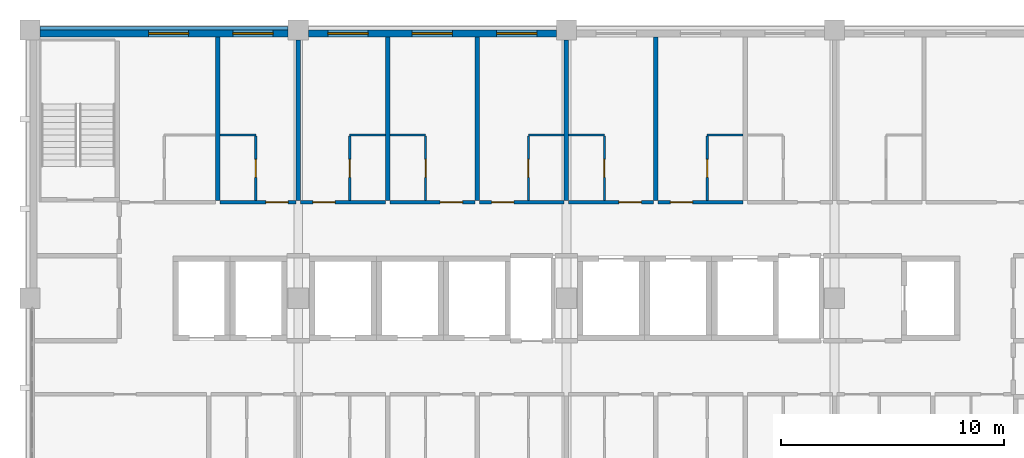
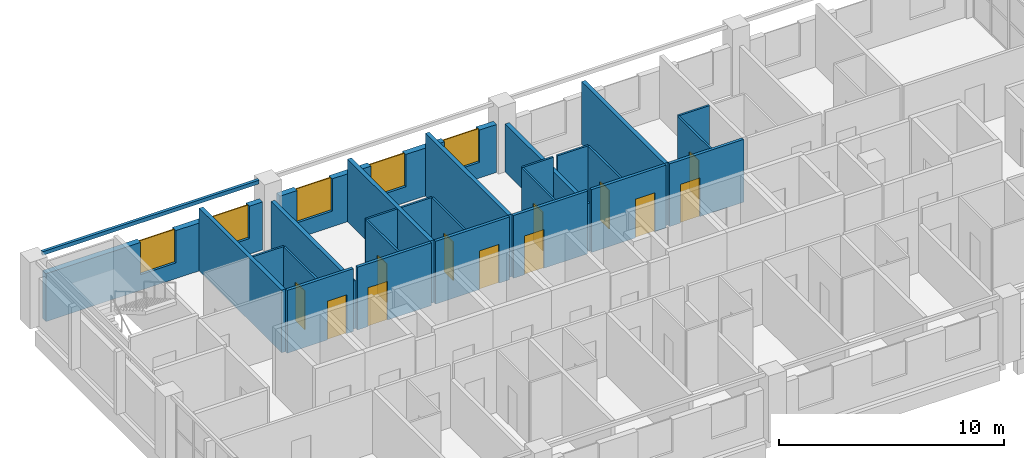
# One storey, part 8 of 11: 27 walls, 12 doors, 5 windows, 17 openings.
"""IFC4 building model written with IfcOpenShell, lengths in metres."""

from ifc_helpers import new_model, si_unit, direction, frame, frame_2d, origin, place, context, subcontext, project, spatial, rectangle, extrude, material, layer, layer_set, type_object, element, fill, save


model = new_model("IFC4")

# Units and contexts
model_context = context("Model", 3, precision=1e-05, world=origin(), true_north=direction((0.0, 1.0)))
body_context = subcontext(model_context, "Body", "Model", "MODEL_VIEW")
ifc_project = project(units=[si_unit("LENGTHUNIT", "METRE"), si_unit("AREAUNIT", "SQUARE_METRE"), si_unit("VOLUMEUNIT", "CUBIC_METRE"), si_unit("PLANEANGLEUNIT", "RADIAN"), si_unit("MASSUNIT", "GRAM", prefix="KILO")], contexts=[model_context])

# Site, building, storey
site_placement = place(None, origin())
site = spatial("IfcSite", under=ifc_project, at=site_placement, CompositionType="ELEMENT")
building_placement = place(site_placement, origin())
building = spatial("IfcBuilding", under=site, at=building_placement, Name="Lilac Gate Convention Centre", CompositionType="ELEMENT")
storey_placement = place(building_placement, frame((0.0, 0.0, 28.199951171875)))
storey = spatial("IfcBuildingStorey", under=building, at=storey_placement, Name="L06", CompositionType="ELEMENT", Elevation=28.199951171875)

# Wall, opening, door
ifc_material_1 = material(Name="Gypsum board on steel stud", Category="steel")
ifc_layer_1 = layer(ifc_material_1, 0.14990234375)
ifc_layer_set_1 = layer_set([ifc_layer_1], Name="Gypsum board on steel stud")
wall_type_1 = type_object("IfcWallType", Name="Corridor wall 150", PredefinedType="PARTITIONING", material=ifc_layer_set_1)
wall_1_placement = place(storey_placement, frame((50.5, 238.300048828125, 0.0), z_axis=(0.0, 0.0, 1.0), x_axis=(1.0, 0.0, 0.0)))
wall_1 = element("IfcWall", 1, at=wall_1_placement, inside=storey, type_object=wall_type_1, Name="Corridor wall 150 front 0612", PredefinedType="PARTITIONING", context=body_context, shape_type="SweptSolid", body=[
    extrude(rectangle(XDim=3.39990234375, YDim=0.14990234375, at=frame_2d((1.699951171875, 0.0))), origin(), (0.0, 0.0, 1.0), 3.400146484375),
])
opening_1_placement = place(wall_1_placement, frame((2.050048828125, 0.0, 0.0)))
opening_1 = element("IfcOpeningElement", 2, at=opening_1_placement, cuts=wall_1, Name="Opening T04-029", PredefinedType="OPENING", context=body_context, shape_type="SweptSolid", body=[
    extrude(rectangle(XDim=1.0, YDim=2.10009765625, at=frame_2d((0.5, 1.050048828125))), frame((0.0, 0.0849609375, 0.0), z_axis=(0.0, -1.0, 0.0), x_axis=(1.0, 0.0, 0.0)), (0.0, 0.0, 1.0), 0.169921875),
])
ifc_material_2 = material(Name="Timber", Category="wood")
door_type_1 = type_object("IfcDoorType", Name="Guest room entrance door 1000", OperationType="SINGLE_SWING_LEFT", PredefinedType="DOOR", material=ifc_material_2)
door_1_placement = place(opening_1_placement, origin())
door_1 = element("IfcDoor", 3, at=door_1_placement, inside=storey, type_object=door_type_1, Name="Guest room door 0612", OperationType="SINGLE_SWING_RIGHT", OverallHeight=2.10009765625, OverallWidth=1.0, PredefinedType="DOOR", context=body_context, shape_type="SweptSolid", body=[
    extrude(rectangle(XDim=1.0, YDim=2.10009765625, at=frame_2d((0.5, 1.050048828125))), frame((0.0, 0.02490234375, 0.0), z_axis=(0.0, -1.0, 0.0), x_axis=(1.0, 0.0, 0.0)), (0.0, 0.0, 1.0), 0.050048828125),
])
fill(opening_1, door_1)

wall_2_placement = place(storey_placement, frame((54.10009765625, 238.300048828125, 0.0), z_axis=(0.0, 0.0, 1.0), x_axis=(1.0, 0.0, 0.0)))
wall_2 = element("IfcWall", 4, at=wall_2_placement, inside=storey, type_object=wall_type_1, Name="Corridor wall 150 front 0613", PredefinedType="PARTITIONING", context=body_context, shape_type="SweptSolid", body=[
    extrude(rectangle(XDim=3.7998046875, YDim=0.14990234375, at=frame_2d((1.89990234375, 0.0))), origin(), (0.0, 0.0, 1.0), 3.400146484375),
])
opening_2_placement = place(wall_2_placement, frame((0.550048828125, 0.0, 0.0)))
opening_2 = element("IfcOpeningElement", 5, at=opening_2_placement, cuts=wall_2, Name="Opening T04-031", PredefinedType="OPENING", context=body_context, shape_type="SweptSolid", body=[
    extrude(rectangle(XDim=1.0, YDim=2.10009765625, at=frame_2d((0.5, 1.050048828125))), frame((0.0, 0.0849609375, 0.0), z_axis=(0.0, -1.0, 0.0), x_axis=(1.0, 0.0, 0.0)), (0.0, 0.0, 1.0), 0.169921875),
])
door_2_placement = place(opening_2_placement, origin())
door_2 = element("IfcDoor", 6, at=door_2_placement, inside=storey, type_object=door_type_1, Name="Guest room door 0613", OperationType="SINGLE_SWING_LEFT", OverallHeight=2.10009765625, OverallWidth=1.0, PredefinedType="DOOR", context=body_context, shape_type="SweptSolid", body=[
    extrude(rectangle(XDim=1.0, YDim=2.10009765625, at=frame_2d((0.5, 1.050048828125))), frame((0.0, 0.02490234375, 0.0), z_axis=(0.0, -1.0, 0.0), x_axis=(1.0, 0.0, 0.0)), (0.0, 0.0, 1.0), 0.050048828125),
])
fill(opening_2, door_2)

wall_3_placement = place(storey_placement, frame((58.10009765625, 238.300048828125, 0.0), z_axis=(0.0, 0.0, 1.0), x_axis=(1.0, 0.0, 0.0)))
wall_3 = element("IfcWall", 7, at=wall_3_placement, inside=storey, type_object=wall_type_1, Name="Corridor wall 150 front 0614", PredefinedType="PARTITIONING", context=body_context, shape_type="SweptSolid", body=[
    extrude(rectangle(XDim=3.7998046875, YDim=0.14990234375, at=frame_2d((1.89990234375, 0.0))), origin(), (0.0, 0.0, 1.0), 3.400146484375),
])
opening_3_placement = place(wall_3_placement, frame((2.25, 0.0, 0.0)))
opening_3 = element("IfcOpeningElement", 8, at=opening_3_placement, cuts=wall_3, Name="Opening T04-033", PredefinedType="OPENING", context=body_context, shape_type="SweptSolid", body=[
    extrude(rectangle(XDim=1.0, YDim=2.10009765625, at=frame_2d((0.5, 1.050048828125))), frame((0.0, 0.0849609375, 0.0), z_axis=(0.0, -1.0, 0.0), x_axis=(1.0, 0.0, 0.0)), (0.0, 0.0, 1.0), 0.169921875),
])
door_3_placement = place(opening_3_placement, origin())
door_3 = element("IfcDoor", 9, at=door_3_placement, inside=storey, type_object=door_type_1, Name="Guest room door 0614", OperationType="SINGLE_SWING_RIGHT", OverallHeight=2.10009765625, OverallWidth=1.0, PredefinedType="DOOR", context=body_context, shape_type="SweptSolid", body=[
    extrude(rectangle(XDim=1.0, YDim=2.10009765625, at=frame_2d((0.5, 1.050048828125))), frame((0.0, 0.02490234375, 0.0), z_axis=(0.0, -1.0, 0.0), x_axis=(1.0, 0.0, 0.0)), (0.0, 0.0, 1.0), 0.050048828125),
])
fill(opening_3, door_3)

wall_4_placement = place(storey_placement, frame((62.10009765625, 238.300048828125, 0.0), z_axis=(0.0, 0.0, 1.0), x_axis=(1.0, 0.0, 0.0)))
wall_4 = element("IfcWall", 10, at=wall_4_placement, inside=storey, type_object=wall_type_1, Name="Corridor wall 150 front 0615", PredefinedType="PARTITIONING", context=body_context, shape_type="SweptSolid", body=[
    extrude(rectangle(XDim=3.7998046875, YDim=0.14990234375, at=frame_2d((1.89990234375, 0.0))), origin(), (0.0, 0.0, 1.0), 3.400146484375),
])
opening_4_placement = place(wall_4_placement, frame((0.550048828125, 0.0, 0.0)))
opening_4 = element("IfcOpeningElement", 11, at=opening_4_placement, cuts=wall_4, Name="Opening T04-035", PredefinedType="OPENING", context=body_context, shape_type="SweptSolid", body=[
    extrude(rectangle(XDim=1.0, YDim=2.10009765625, at=frame_2d((0.5, 1.050048828125))), frame((0.0, 0.0849609375, 0.0), z_axis=(0.0, -1.0, 0.0), x_axis=(1.0, 0.0, 0.0)), (0.0, 0.0, 1.0), 0.169921875),
])
door_4_placement = place(opening_4_placement, origin())
door_4 = element("IfcDoor", 12, at=door_4_placement, inside=storey, type_object=door_type_1, Name="Guest room door 0615", OperationType="SINGLE_SWING_LEFT", OverallHeight=2.10009765625, OverallWidth=1.0, PredefinedType="DOOR", context=body_context, shape_type="SweptSolid", body=[
    extrude(rectangle(XDim=1.0, YDim=2.10009765625, at=frame_2d((0.5, 1.050048828125))), frame((0.0, 0.02490234375, 0.0), z_axis=(0.0, -1.0, 0.0), x_axis=(1.0, 0.0, 0.0)), (0.0, 0.0, 1.0), 0.050048828125),
])
fill(opening_4, door_4)

wall_5_placement = place(storey_placement, frame((66.10009765625, 238.300048828125, 0.0), z_axis=(0.0, 0.0, 1.0), x_axis=(1.0, 0.0, 0.0)))
wall_5 = element("IfcWall", 13, at=wall_5_placement, inside=storey, type_object=wall_type_1, Name="Corridor wall 150 front 0616", PredefinedType="PARTITIONING", context=body_context, shape_type="SweptSolid", body=[
    extrude(rectangle(XDim=3.7998046875, YDim=0.14990234375, at=frame_2d((1.89990234375, 0.0))), origin(), (0.0, 0.0, 1.0), 3.400146484375),
])
opening_5_placement = place(wall_5_placement, frame((2.25, 0.0, 0.0)))
opening_5 = element("IfcOpeningElement", 14, at=opening_5_placement, cuts=wall_5, Name="Opening T04-037", PredefinedType="OPENING", context=body_context, shape_type="SweptSolid", body=[
    extrude(rectangle(XDim=1.0, YDim=2.10009765625, at=frame_2d((0.5, 1.050048828125))), frame((0.0, 0.0849609375, 0.0), z_axis=(0.0, -1.0, 0.0), x_axis=(1.0, 0.0, 0.0)), (0.0, 0.0, 1.0), 0.169921875),
])
door_5_placement = place(opening_5_placement, origin())
door_5 = element("IfcDoor", 15, at=door_5_placement, inside=storey, type_object=door_type_1, Name="Guest room door 0616", OperationType="SINGLE_SWING_LEFT", OverallHeight=2.10009765625, OverallWidth=1.0, PredefinedType="DOOR", context=body_context, shape_type="SweptSolid", body=[
    extrude(rectangle(XDim=1.0, YDim=2.10009765625, at=frame_2d((0.5, 1.050048828125))), frame((0.0, 0.02490234375, 0.0), z_axis=(0.0, -1.0, 0.0), x_axis=(1.0, 0.0, 0.0)), (0.0, 0.0, 1.0), 0.050048828125),
])
fill(opening_5, door_5)

wall_6_placement = place(storey_placement, frame((70.10009765625, 238.300048828125, 0.0), z_axis=(0.0, 0.0, 1.0), x_axis=(1.0, 0.0, 0.0)))
wall_6 = element("IfcWall", 16, at=wall_6_placement, inside=storey, type_object=wall_type_1, Name="Corridor wall 150 front 0617", PredefinedType="PARTITIONING", context=body_context, shape_type="SweptSolid", body=[
    extrude(rectangle(XDim=3.7998046875, YDim=0.14990234375, at=frame_2d((1.89990234375, 0.0))), origin(), (0.0, 0.0, 1.0), 3.400146484375),
])
opening_6_placement = place(wall_6_placement, frame((0.550048828125, 0.0, 0.0)))
opening_6 = element("IfcOpeningElement", 17, at=opening_6_placement, cuts=wall_6, Name="Opening T04-039", PredefinedType="OPENING", context=body_context, shape_type="SweptSolid", body=[
    extrude(rectangle(XDim=1.0, YDim=2.10009765625, at=frame_2d((0.5, 1.050048828125))), frame((0.0, 0.0849609375, 0.0), z_axis=(0.0, -1.0, 0.0), x_axis=(1.0, 0.0, 0.0)), (0.0, 0.0, 1.0), 0.169921875),
])
door_6_placement = place(opening_6_placement, origin())
door_6 = element("IfcDoor", 18, at=door_6_placement, inside=storey, type_object=door_type_1, Name="Guest room door 0617", OperationType="SINGLE_SWING_LEFT", OverallHeight=2.10009765625, OverallWidth=1.0, PredefinedType="DOOR", context=body_context, shape_type="SweptSolid", body=[
    extrude(rectangle(XDim=1.0, YDim=2.10009765625, at=frame_2d((0.5, 1.050048828125))), frame((0.0, 0.02490234375, 0.0), z_axis=(0.0, -1.0, 0.0), x_axis=(1.0, 0.0, 0.0)), (0.0, 0.0, 1.0), 0.050048828125),
])
fill(opening_6, door_6)

# Wall
ifc_layer_2 = layer(ifc_material_1, 0.10009765625)
ifc_layer_set_2 = layer_set([ifc_layer_2], Name="Gypsum board on steel stud")
wall_type_2 = type_object("IfcWallType", Name="En-suite wall 100", PredefinedType="PARTITIONING", material=ifc_layer_set_2)
wall_7_placement = place(storey_placement, frame((50.5, 241.300048828125, 0.0), z_axis=(0.0, 0.0, 1.0), x_axis=(1.0, 0.0, 0.0)))
element("IfcWall", 19, at=wall_7_placement, inside=storey, type_object=wall_type_2, Name="En-suite wall 100 bath 0612", PredefinedType="PARTITIONING", context=body_context, shape_type="SweptSolid", body=[
    extrude(rectangle(XDim=1.60009765625, YDim=0.10009765625, at=frame_2d((0.800048828125, 0.0))), origin(), (0.0, 0.0, 1.0), 3.400146484375),
])

# Wall, opening, door
wall_8_placement = place(storey_placement, frame((52.10009765625, 241.25, 0.0), z_axis=(0.0, 0.0, 1.0), x_axis=(0.0, -1.0, 0.0)))
wall_8 = element("IfcWall", 20, at=wall_8_placement, inside=storey, type_object=wall_type_2, Name="En-suite wall 100 bath side 0612", PredefinedType="PARTITIONING", context=body_context, shape_type="SweptSolid", body=[
    extrude(rectangle(XDim=2.875, YDim=0.10009765625, at=frame_2d((1.4375, 0.0))), origin(), (0.0, 0.0, 1.0), 3.400146484375),
])
opening_7_placement = place(wall_8_placement, frame((1.03759765625, 0.0, 0.0)))
opening_7 = element("IfcOpeningElement", 21, at=opening_7_placement, cuts=wall_8, Name="Opening T04-030", PredefinedType="OPENING", context=body_context, shape_type="SweptSolid", body=[
    extrude(rectangle(XDim=0.800048828125, YDim=2.10009765625, at=frame_2d((0.39990234375, 1.050048828125))), frame((0.0, 0.06005859375, 0.0), z_axis=(0.0, -1.0, 0.0), x_axis=(1.0, 0.0, 0.0)), (0.0, 0.0, 1.0), 0.1201171875),
])
door_type_2 = type_object("IfcDoorType", Name="En-suite door 800", OperationType="SINGLE_SWING_LEFT", PredefinedType="DOOR", material=ifc_material_2)
door_7_placement = place(opening_7_placement, origin())
door_7 = element("IfcDoor", 22, at=door_7_placement, inside=storey, type_object=door_type_2, Name="En-suite door 0612", OperationType="SINGLE_SWING_RIGHT", OverallHeight=2.10009765625, OverallWidth=0.800048828125, PredefinedType="DOOR", context=body_context, shape_type="SweptSolid", body=[
    extrude(rectangle(XDim=0.800048828125, YDim=2.10009765625, at=frame_2d((0.39990234375, 1.050048828125))), frame((0.0, 0.02490234375, 0.0), z_axis=(0.0, -1.0, 0.0), x_axis=(1.0, 0.0, 0.0)), (0.0, 0.0, 1.0), 0.050048828125),
])
fill(opening_7, door_7)

# Wall
wall_9_placement = place(storey_placement, frame((56.300048828125, 241.300048828125, 0.0), z_axis=(0.0, 0.0, 1.0), x_axis=(1.0, 0.0, 0.0)))
element("IfcWall", 23, at=wall_9_placement, inside=storey, type_object=wall_type_2, Name="En-suite wall 100 bath 0613", PredefinedType="PARTITIONING", context=body_context, shape_type="SweptSolid", body=[
    extrude(rectangle(XDim=1.599853515625, YDim=0.10009765625, at=frame_2d((0.7998046875, 0.0))), origin(), (0.0, 0.0, 1.0), 3.400146484375),
])

# Wall, opening, door
wall_10_placement = place(storey_placement, frame((56.300048828125, 238.375, 0.0), z_axis=(0.0, 0.0, 1.0), x_axis=(0.0, 1.0, 0.0)))
wall_10 = element("IfcWall", 24, at=wall_10_placement, inside=storey, type_object=wall_type_2, Name="En-suite wall 100 bath side 0613", PredefinedType="PARTITIONING", context=body_context, shape_type="SweptSolid", body=[
    extrude(rectangle(XDim=2.875, YDim=0.10009765625, at=frame_2d((1.4375, 0.0))), origin(), (0.0, 0.0, 1.0), 3.400146484375),
])
opening_8_placement = place(wall_10_placement, frame((1.03759765625, 0.0, 0.0)))
opening_8 = element("IfcOpeningElement", 25, at=opening_8_placement, cuts=wall_10, Name="Opening T04-032", PredefinedType="OPENING", context=body_context, shape_type="SweptSolid", body=[
    extrude(rectangle(XDim=0.800048828125, YDim=2.10009765625, at=frame_2d((0.39990234375, 1.050048828125))), frame((0.0, 0.06005859375, 0.0), z_axis=(0.0, -1.0, 0.0), x_axis=(1.0, 0.0, 0.0)), (0.0, 0.0, 1.0), 0.1201171875),
])
door_8_placement = place(opening_8_placement, origin())
door_8 = element("IfcDoor", 26, at=door_8_placement, inside=storey, type_object=door_type_2, Name="En-suite door 0613", OperationType="SINGLE_SWING_LEFT", OverallHeight=2.10009765625, OverallWidth=0.800048828125, PredefinedType="DOOR", context=body_context, shape_type="SweptSolid", body=[
    extrude(rectangle(XDim=0.800048828125, YDim=2.10009765625, at=frame_2d((0.39990234375, 1.050048828125))), frame((0.0, 0.02490234375, 0.0), z_axis=(0.0, -1.0, 0.0), x_axis=(1.0, 0.0, 0.0)), (0.0, 0.0, 1.0), 0.050048828125),
])
fill(opening_8, door_8)

# Wall
wall_11_placement = place(storey_placement, frame((58.10009765625, 241.300048828125, 0.0), z_axis=(0.0, 0.0, 1.0), x_axis=(1.0, 0.0, 0.0)))
element("IfcWall", 27, at=wall_11_placement, inside=storey, type_object=wall_type_2, Name="En-suite wall 100 bath 0614", PredefinedType="PARTITIONING", context=body_context, shape_type="SweptSolid", body=[
    extrude(rectangle(XDim=1.599853515625, YDim=0.10009765625, at=frame_2d((0.7998046875, 0.0))), origin(), (0.0, 0.0, 1.0), 3.400146484375),
])

# Wall, opening, door
wall_12_placement = place(storey_placement, frame((59.699951171875, 241.25, 0.0), z_axis=(0.0, 0.0, 1.0), x_axis=(0.0, -1.0, 0.0)))
wall_12 = element("IfcWall", 28, at=wall_12_placement, inside=storey, type_object=wall_type_2, Name="En-suite wall 100 bath side 0614", PredefinedType="PARTITIONING", context=body_context, shape_type="SweptSolid", body=[
    extrude(rectangle(XDim=2.875, YDim=0.10009765625, at=frame_2d((1.4375, 0.0))), origin(), (0.0, 0.0, 1.0), 3.400146484375),
])
opening_9_placement = place(wall_12_placement, frame((1.03759765625, 0.0, 0.0)))
opening_9 = element("IfcOpeningElement", 29, at=opening_9_placement, cuts=wall_12, Name="Opening T04-034", PredefinedType="OPENING", context=body_context, shape_type="SweptSolid", body=[
    extrude(rectangle(XDim=0.800048828125, YDim=2.10009765625, at=frame_2d((0.39990234375, 1.050048828125))), frame((0.0, 0.06005859375, 0.0), z_axis=(0.0, -1.0, 0.0), x_axis=(1.0, 0.0, 0.0)), (0.0, 0.0, 1.0), 0.1201171875),
])
door_9_placement = place(opening_9_placement, origin())
door_9 = element("IfcDoor", 30, at=door_9_placement, inside=storey, type_object=door_type_2, Name="En-suite door 0614", OperationType="SINGLE_SWING_RIGHT", OverallHeight=2.10009765625, OverallWidth=0.800048828125, PredefinedType="DOOR", context=body_context, shape_type="SweptSolid", body=[
    extrude(rectangle(XDim=0.800048828125, YDim=2.10009765625, at=frame_2d((0.39990234375, 1.050048828125))), frame((0.0, 0.02490234375, 0.0), z_axis=(0.0, -1.0, 0.0), x_axis=(1.0, 0.0, 0.0)), (0.0, 0.0, 1.0), 0.050048828125),
])
fill(opening_9, door_9)

# Wall
wall_13_placement = place(storey_placement, frame((64.300048828125, 241.300048828125, 0.0), z_axis=(0.0, 0.0, 1.0), x_axis=(1.0, 0.0, 0.0)))
element("IfcWall", 31, at=wall_13_placement, inside=storey, type_object=wall_type_2, Name="En-suite wall 100 bath 0615", PredefinedType="PARTITIONING", context=body_context, shape_type="SweptSolid", body=[
    extrude(rectangle(XDim=1.599853515625, YDim=0.10009765625, at=frame_2d((0.7998046875, 0.0))), origin(), (0.0, 0.0, 1.0), 3.400146484375),
])

# Wall, opening, door
wall_14_placement = place(storey_placement, frame((64.300048828125, 238.375, 0.0), z_axis=(0.0, 0.0, 1.0), x_axis=(0.0, 1.0, 0.0)))
wall_14 = element("IfcWall", 32, at=wall_14_placement, inside=storey, type_object=wall_type_2, Name="En-suite wall 100 bath side 0615", PredefinedType="PARTITIONING", context=body_context, shape_type="SweptSolid", body=[
    extrude(rectangle(XDim=2.875, YDim=0.10009765625, at=frame_2d((1.4375, 0.0))), origin(), (0.0, 0.0, 1.0), 3.400146484375),
])
opening_10_placement = place(wall_14_placement, frame((1.03759765625, 0.0, 0.0)))
opening_10 = element("IfcOpeningElement", 33, at=opening_10_placement, cuts=wall_14, Name="Opening T04-036", PredefinedType="OPENING", context=body_context, shape_type="SweptSolid", body=[
    extrude(rectangle(XDim=0.800048828125, YDim=2.10009765625, at=frame_2d((0.39990234375, 1.050048828125))), frame((0.0, 0.06005859375, 0.0), z_axis=(0.0, -1.0, 0.0), x_axis=(1.0, 0.0, 0.0)), (0.0, 0.0, 1.0), 0.1201171875),
])
door_10_placement = place(opening_10_placement, origin())
door_10 = element("IfcDoor", 34, at=door_10_placement, inside=storey, type_object=door_type_2, Name="En-suite door 0615", OperationType="SINGLE_SWING_LEFT", OverallHeight=2.10009765625, OverallWidth=0.800048828125, PredefinedType="DOOR", context=body_context, shape_type="SweptSolid", body=[
    extrude(rectangle(XDim=0.800048828125, YDim=2.10009765625, at=frame_2d((0.39990234375, 1.050048828125))), frame((0.0, 0.02490234375, 0.0), z_axis=(0.0, -1.0, 0.0), x_axis=(1.0, 0.0, 0.0)), (0.0, 0.0, 1.0), 0.050048828125),
])
fill(opening_10, door_10)

# Wall
wall_15_placement = place(storey_placement, frame((66.10009765625, 241.300048828125, 0.0), z_axis=(0.0, 0.0, 1.0), x_axis=(1.0, 0.0, 0.0)))
element("IfcWall", 35, at=wall_15_placement, inside=storey, type_object=wall_type_2, Name="En-suite wall 100 bath 0616", PredefinedType="PARTITIONING", context=body_context, shape_type="SweptSolid", body=[
    extrude(rectangle(XDim=1.599853515625, YDim=0.10009765625, at=frame_2d((0.7998046875, 0.0))), origin(), (0.0, 0.0, 1.0), 3.400146484375),
])

# Wall, opening, door
wall_16_placement = place(storey_placement, frame((67.699951171875, 241.25, 0.0), z_axis=(0.0, 0.0, 1.0), x_axis=(0.0, -1.0, 0.0)))
wall_16 = element("IfcWall", 36, at=wall_16_placement, inside=storey, type_object=wall_type_2, Name="En-suite wall 100 bath side 0616", PredefinedType="PARTITIONING", context=body_context, shape_type="SweptSolid", body=[
    extrude(rectangle(XDim=2.875, YDim=0.10009765625, at=frame_2d((1.4375, 0.0))), origin(), (0.0, 0.0, 1.0), 3.400146484375),
])
opening_11_placement = place(wall_16_placement, frame((1.03759765625, 0.0, 0.0)))
opening_11 = element("IfcOpeningElement", 37, at=opening_11_placement, cuts=wall_16, Name="Opening T04-038", PredefinedType="OPENING", context=body_context, shape_type="SweptSolid", body=[
    extrude(rectangle(XDim=0.800048828125, YDim=2.10009765625, at=frame_2d((0.39990234375, 1.050048828125))), frame((0.0, 0.06005859375, 0.0), z_axis=(0.0, -1.0, 0.0), x_axis=(1.0, 0.0, 0.0)), (0.0, 0.0, 1.0), 0.1201171875),
])
door_11_placement = place(opening_11_placement, origin())
door_11 = element("IfcDoor", 38, at=door_11_placement, inside=storey, type_object=door_type_2, Name="En-suite door 0616", OperationType="SINGLE_SWING_RIGHT", OverallHeight=2.10009765625, OverallWidth=0.800048828125, PredefinedType="DOOR", context=body_context, shape_type="SweptSolid", body=[
    extrude(rectangle(XDim=0.800048828125, YDim=2.10009765625, at=frame_2d((0.39990234375, 1.050048828125))), frame((0.0, 0.02490234375, 0.0), z_axis=(0.0, -1.0, 0.0), x_axis=(1.0, 0.0, 0.0)), (0.0, 0.0, 1.0), 0.050048828125),
])
fill(opening_11, door_11)

# Wall
wall_17_placement = place(storey_placement, frame((72.300048828125, 241.300048828125, 0.0), z_axis=(0.0, 0.0, 1.0), x_axis=(1.0, 0.0, 0.0)))
element("IfcWall", 39, at=wall_17_placement, inside=storey, type_object=wall_type_2, Name="En-suite wall 100 bath 0617", PredefinedType="PARTITIONING", context=body_context, shape_type="SweptSolid", body=[
    extrude(rectangle(XDim=1.599853515625, YDim=0.10009765625, at=frame_2d((0.7998046875, 0.0))), origin(), (0.0, 0.0, 1.0), 3.400146484375),
])

# Wall, opening, door
wall_18_placement = place(storey_placement, frame((72.300048828125, 238.375, 0.0), z_axis=(0.0, 0.0, 1.0), x_axis=(0.0, 1.0, 0.0)))
wall_18 = element("IfcWall", 40, at=wall_18_placement, inside=storey, type_object=wall_type_2, Name="En-suite wall 100 bath side 0617", PredefinedType="PARTITIONING", context=body_context, shape_type="SweptSolid", body=[
    extrude(rectangle(XDim=2.875, YDim=0.10009765625, at=frame_2d((1.4375, 0.0))), origin(), (0.0, 0.0, 1.0), 3.400146484375),
])
opening_12_placement = place(wall_18_placement, frame((1.03759765625, 0.0, 0.0)))
opening_12 = element("IfcOpeningElement", 41, at=opening_12_placement, cuts=wall_18, Name="Opening T04-040", PredefinedType="OPENING", context=body_context, shape_type="SweptSolid", body=[
    extrude(rectangle(XDim=0.800048828125, YDim=2.10009765625, at=frame_2d((0.39990234375, 1.050048828125))), frame((0.0, 0.06005859375, 0.0), z_axis=(0.0, -1.0, 0.0), x_axis=(1.0, 0.0, 0.0)), (0.0, 0.0, 1.0), 0.1201171875),
])
door_12_placement = place(opening_12_placement, origin())
door_12 = element("IfcDoor", 42, at=door_12_placement, inside=storey, type_object=door_type_2, Name="En-suite door 0617", OperationType="SINGLE_SWING_LEFT", OverallHeight=2.10009765625, OverallWidth=0.800048828125, PredefinedType="DOOR", context=body_context, shape_type="SweptSolid", body=[
    extrude(rectangle(XDim=0.800048828125, YDim=2.10009765625, at=frame_2d((0.39990234375, 1.050048828125))), frame((0.0, 0.02490234375, 0.0), z_axis=(0.0, -1.0, 0.0), x_axis=(1.0, 0.0, 0.0)), (0.0, 0.0, 1.0), 0.050048828125),
])
fill(opening_12, door_12)

# Walls
ifc_layer_3 = layer(ifc_material_1, 0.199951171875)
ifc_layer_set_3 = layer_set([ifc_layer_3], Name="Gypsum board on steel stud")
wall_type_3 = type_object("IfcWallType", Name="Guest room party wall 200", PredefinedType="PARTITIONING", material=ifc_layer_set_3)
wall_19_placement = place(storey_placement, frame((50.39990234375, 245.7001953125, 0.0), z_axis=(0.0, 0.0, 1.0), x_axis=(0.0, -1.0, 0.0)))
element("IfcWall", 43, at=wall_19_placement, inside=storey, type_object=wall_type_3, Name="Guest room party wall 200 party 50.4", PredefinedType="PARTITIONING", context=body_context, shape_type="SweptSolid", body=[
    extrude(rectangle(XDim=7.3251953125, YDim=0.199951171875, at=frame_2d((3.66259765625, 0.0))), origin(), (0.0, 0.0, 1.0), 3.400146484375),
])
wall_20_placement = place(storey_placement, frame((54.0, 245.550048828125, 0.0), z_axis=(0.0, 0.0, 1.0), x_axis=(0.0, -1.0, 0.0)))
element("IfcWall", 44, at=wall_20_placement, inside=storey, type_object=wall_type_3, Name="Guest room party wall 200 party 54.0", PredefinedType="PARTITIONING", context=body_context, shape_type="SweptSolid", body=[
    extrude(rectangle(XDim=7.175048828125, YDim=0.199951171875, at=frame_2d((3.58740234375, 0.0))), origin(), (0.0, 0.0, 1.0), 2.60009765625),
])
for number, where, z_axis, x_axis, name in (
    (45, (58.0, 245.7001953125, 0.0), (0.0, 0.0, 1.0), (0.0, -1.0, 0.0), "Guest room party wall 200 party 58.0"),
    (46, (62.0, 245.7001953125, 0.0), (0.0, 0.0, 1.0), (0.0, -1.0, 0.0), "Guest room party wall 200 party 62.0"),
):
    element("IfcWall", number, at=place(storey_placement, frame(where, z_axis=z_axis, x_axis=x_axis)), inside=storey, type_object=wall_type_3, Name=name, PredefinedType="PARTITIONING", context=body_context, shape_type="SweptSolid", body=[
        extrude(rectangle(XDim=7.3251953125, YDim=0.199951171875, at=frame_2d((3.66259765625, 0.0))), origin(), (0.0, 0.0, 1.0), 3.400146484375),
    ])
wall_21_placement = place(storey_placement, frame((66.0, 245.550048828125, 0.0), z_axis=(0.0, 0.0, 1.0), x_axis=(0.0, -1.0, 0.0)))
element("IfcWall", 47, at=wall_21_placement, inside=storey, type_object=wall_type_3, Name="Guest room party wall 200 party 66.0", PredefinedType="PARTITIONING", context=body_context, shape_type="SweptSolid", body=[
    extrude(rectangle(XDim=7.175048828125, YDim=0.199951171875, at=frame_2d((3.58740234375, 0.0))), origin(), (0.0, 0.0, 1.0), 2.60009765625),
])
wall_22_placement = place(storey_placement, frame((70.0, 245.7001953125, 0.0), z_axis=(0.0, 0.0, 1.0), x_axis=(0.0, -1.0, 0.0)))
element("IfcWall", 48, at=wall_22_placement, inside=storey, type_object=wall_type_3, Name="Guest room party wall 200 party 70.0", PredefinedType="PARTITIONING", context=body_context, shape_type="SweptSolid", body=[
    extrude(rectangle(XDim=7.3251953125, YDim=0.199951171875, at=frame_2d((3.66259765625, 0.0))), origin(), (0.0, 0.0, 1.0), 3.400146484375),
])
ifc_material_3 = material(Name="Concrete C40 precast", Category="concrete")
ifc_layer_4 = layer(ifc_material_3, 0.1298828125)
ifc_material_4 = material(Name="Ochre mineral render")
ifc_layer_5 = layer(ifc_material_4, 0.02001953125)
ifc_layer_set_4 = layer_set([ifc_layer_4, ifc_layer_5], Name="Concrete C40 precast, Ochre mineral render")
wall_type_4 = type_object("IfcWallType", Name="Precast band ochre 150", PredefinedType="STANDARD", material=ifc_layer_set_4)
wall_23_placement = place(storey_placement, frame((53.550048828125, 246.074951171875, 3.400146484375), z_axis=(0.0, 0.0, 1.0), x_axis=(-1.0, 0.0, 0.0)))
element("IfcWall", 49, at=wall_23_placement, inside=storey, type_object=wall_type_4, Name="Precast band N L06 4", PredefinedType="STANDARD", context=body_context, shape_type="SweptSolid", body=[
    extrude(rectangle(XDim=11.10009765625, YDim=0.14990234375, at=frame_2d((5.550048828125, 0.0))), origin(), (0.0, 0.0, 1.0), 0.199951171875),
])

# Wall, openings, windows
ifc_layer_6 = layer(ifc_material_4, 0.02001953125)
ifc_layer_7 = layer(ifc_material_3, 0.06005859375)
ifc_material_5 = material(Name="Ventilated air cavity")
ifc_layer_8 = layer(ifc_material_5, 0.030029296875)
ifc_material_6 = material(Name="Mineral wool insulation")
ifc_layer_9 = layer(ifc_material_6, 0.1201171875)
ifc_material_7 = material(Name="Steel stud Q345 and gypsum lining", Category="steel")
ifc_layer_10 = layer(ifc_material_7, 0.070068359375)
ifc_layer_set_5 = layer_set([ifc_layer_6, ifc_layer_7, ifc_layer_8, ifc_layer_9, ifc_layer_10], Name="Ochre mineral render, Concrete C40 precast, Ventilated air cavity, Mineral wool insulation, Steel stud Q345 and gypsum lining")
wall_type_5 = type_object("IfcWallType", Name="Precast panel wall ochre 300", PredefinedType="STANDARD", material=ifc_layer_set_5)
wall_24_placement = place(storey_placement, frame((65.550048828125, 245.85009765625, 0.0), z_axis=(0.0, 0.0, 1.0), x_axis=(-1.0, 0.0, 0.0)))
wall_24 = element("IfcWall", 50, at=wall_24_placement, inside=storey, type_object=wall_type_5, Name="External wall N L06 3", PredefinedType="STANDARD", context=body_context, shape_type="SweptSolid", body=[
    extrude(rectangle(XDim=11.10009765625, YDim=0.300048828125, at=frame_2d((5.550048828125, 0.0))), origin(), (0.0, 0.0, 1.0), 2.60009765625),
])
opening_13_placement = place(wall_24_placement, frame((8.425048828125, 0.0, 0.85009765625)))
opening_13 = element("IfcOpeningElement", 51, at=opening_13_placement, cuts=wall_24, Name="Opening W1", PredefinedType="OPENING", context=body_context, shape_type="SweptSolid", body=[
    extrude(rectangle(XDim=1.800048828125, YDim=1.75, at=frame_2d((0.89990234375, 0.875))), frame((0.0, 0.159912109375, 0.0), z_axis=(0.0, -1.0, 0.0), x_axis=(1.0, 0.0, 0.0)), (0.0, 0.0, 1.0), 0.320068359375),
])
opening_14_placement = place(wall_24_placement, frame((4.64990234375, 0.0, 0.85009765625)))
opening_14 = element("IfcOpeningElement", 52, at=opening_14_placement, cuts=wall_24, Name="Opening W1", PredefinedType="OPENING", context=body_context, shape_type="SweptSolid", body=[
    extrude(rectangle(XDim=1.800048828125, YDim=1.75, at=frame_2d((0.89990234375, 0.875))), frame((0.0, 0.159912109375, 0.0), z_axis=(0.0, -1.0, 0.0), x_axis=(1.0, 0.0, 0.0)), (0.0, 0.0, 1.0), 0.320068359375),
])
opening_15_placement = place(wall_24_placement, frame((0.875, 0.0, 0.85009765625)))
opening_15 = element("IfcOpeningElement", 53, at=opening_15_placement, cuts=wall_24, Name="Opening W1", PredefinedType="OPENING", context=body_context, shape_type="SweptSolid", body=[
    extrude(rectangle(XDim=1.800048828125, YDim=1.75, at=frame_2d((0.89990234375, 0.875))), frame((0.0, 0.159912109375, 0.0), z_axis=(0.0, -1.0, 0.0), x_axis=(1.0, 0.0, 0.0)), (0.0, 0.0, 1.0), 0.320068359375),
])
ifc_material_8 = material(Name="Aluminium framed double glazing", Category="aluminium")
window_type = type_object("IfcWindowType", Name="Guest room window 1800 x 1750", PartitioningType="DOUBLE_PANEL_VERTICAL", PredefinedType="WINDOW", material=ifc_material_8)
window_1_placement = place(opening_13_placement, origin())
window_1 = element("IfcWindow", 54, at=window_1_placement, inside=storey, type_object=window_type, Name="Window Guest N L06", OverallHeight=1.75, OverallWidth=1.800048828125, PartitioningType="SINGLE_PANEL", PredefinedType="WINDOW", context=body_context, shape_type="SweptSolid", body=[
    extrude(rectangle(XDim=1.800048828125, YDim=1.75, at=frame_2d((0.89990234375, 0.875))), frame((0.0, 0.030029296875, 0.0), z_axis=(0.0, -1.0, 0.0), x_axis=(1.0, 0.0, 0.0)), (0.0, 0.0, 1.0), 0.06005859375),
])
fill(opening_13, window_1)
window_2_placement = place(opening_14_placement, origin())
window_2 = element("IfcWindow", 55, at=window_2_placement, inside=storey, type_object=window_type, Name="Window Guest N L06", OverallHeight=1.75, OverallWidth=1.800048828125, PartitioningType="SINGLE_PANEL", PredefinedType="WINDOW", context=body_context, shape_type="SweptSolid", body=[
    extrude(rectangle(XDim=1.800048828125, YDim=1.75, at=frame_2d((0.89990234375, 0.875))), frame((0.0, 0.030029296875, 0.0), z_axis=(0.0, -1.0, 0.0), x_axis=(1.0, 0.0, 0.0)), (0.0, 0.0, 1.0), 0.06005859375),
])
fill(opening_14, window_2)
window_3_placement = place(opening_15_placement, origin())
window_3 = element("IfcWindow", 56, at=window_3_placement, inside=storey, type_object=window_type, Name="Window Guest N L06", OverallHeight=1.75, OverallWidth=1.800048828125, PartitioningType="SINGLE_PANEL", PredefinedType="WINDOW", context=body_context, shape_type="SweptSolid", body=[
    extrude(rectangle(XDim=1.800048828125, YDim=1.75, at=frame_2d((0.89990234375, 0.875))), frame((0.0, 0.030029296875, 0.0), z_axis=(0.0, -1.0, 0.0), x_axis=(1.0, 0.0, 0.0)), (0.0, 0.0, 1.0), 0.06005859375),
])
fill(opening_15, window_3)

wall_25_placement = place(storey_placement, frame((53.550048828125, 245.85009765625, 0.0), z_axis=(0.0, 0.0, 1.0), x_axis=(-1.0, 0.0, 0.0)))
wall_25 = element("IfcWall", 57, at=wall_25_placement, inside=storey, type_object=wall_type_5, Name="External wall N L06 4", PredefinedType="STANDARD", context=body_context, shape_type="SweptSolid", body=[
    extrude(rectangle(XDim=11.10009765625, YDim=0.300048828125, at=frame_2d((5.550048828125, 0.0))), origin(), (0.0, 0.0, 1.0), 2.60009765625),
])
opening_16_placement = place(wall_25_placement, frame((4.449951171875, 0.0, 0.85009765625)))
opening_16 = element("IfcOpeningElement", 58, at=opening_16_placement, cuts=wall_25, Name="Opening W1", PredefinedType="OPENING", context=body_context, shape_type="SweptSolid", body=[
    extrude(rectangle(XDim=1.800048828125, YDim=1.75, at=frame_2d((0.89990234375, 0.875))), frame((0.0, 0.159912109375, 0.0), z_axis=(0.0, -1.0, 0.0), x_axis=(1.0, 0.0, 0.0)), (0.0, 0.0, 1.0), 0.320068359375),
])
opening_17_placement = place(wall_25_placement, frame((0.675048828125, 0.0, 0.85009765625)))
opening_17 = element("IfcOpeningElement", 59, at=opening_17_placement, cuts=wall_25, Name="Opening W1", PredefinedType="OPENING", context=body_context, shape_type="SweptSolid", body=[
    extrude(rectangle(XDim=1.800048828125, YDim=1.75, at=frame_2d((0.89990234375, 0.875))), frame((0.0, 0.159912109375, 0.0), z_axis=(0.0, -1.0, 0.0), x_axis=(1.0, 0.0, 0.0)), (0.0, 0.0, 1.0), 0.320068359375),
])
window_4_placement = place(opening_16_placement, origin())
window_4 = element("IfcWindow", 60, at=window_4_placement, inside=storey, type_object=window_type, Name="Window Guest N L06", OverallHeight=1.75, OverallWidth=1.800048828125, PartitioningType="SINGLE_PANEL", PredefinedType="WINDOW", context=body_context, shape_type="SweptSolid", body=[
    extrude(rectangle(XDim=1.800048828125, YDim=1.75, at=frame_2d((0.89990234375, 0.875))), frame((0.0, 0.030029296875, 0.0), z_axis=(0.0, -1.0, 0.0), x_axis=(1.0, 0.0, 0.0)), (0.0, 0.0, 1.0), 0.06005859375),
])
fill(opening_16, window_4)
window_5_placement = place(opening_17_placement, origin())
window_5 = element("IfcWindow", 61, at=window_5_placement, inside=storey, type_object=window_type, Name="Window Guest N L06", OverallHeight=1.75, OverallWidth=1.800048828125, PartitioningType="SINGLE_PANEL", PredefinedType="WINDOW", context=body_context, shape_type="SweptSolid", body=[
    extrude(rectangle(XDim=1.800048828125, YDim=1.75, at=frame_2d((0.89990234375, 0.875))), frame((0.0, 0.030029296875, 0.0), z_axis=(0.0, -1.0, 0.0), x_axis=(1.0, 0.0, 0.0)), (0.0, 0.0, 1.0), 0.06005859375),
])
fill(opening_17, window_5)

save(model, "model.ifc")
